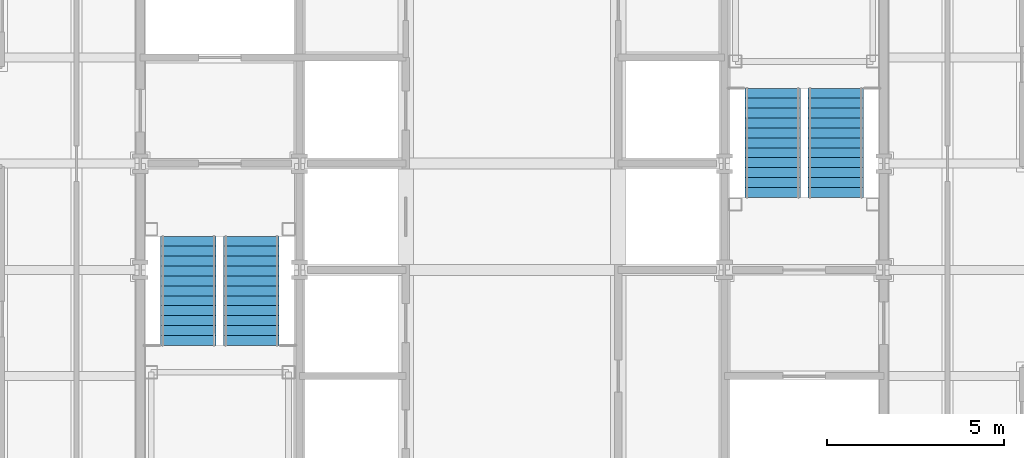
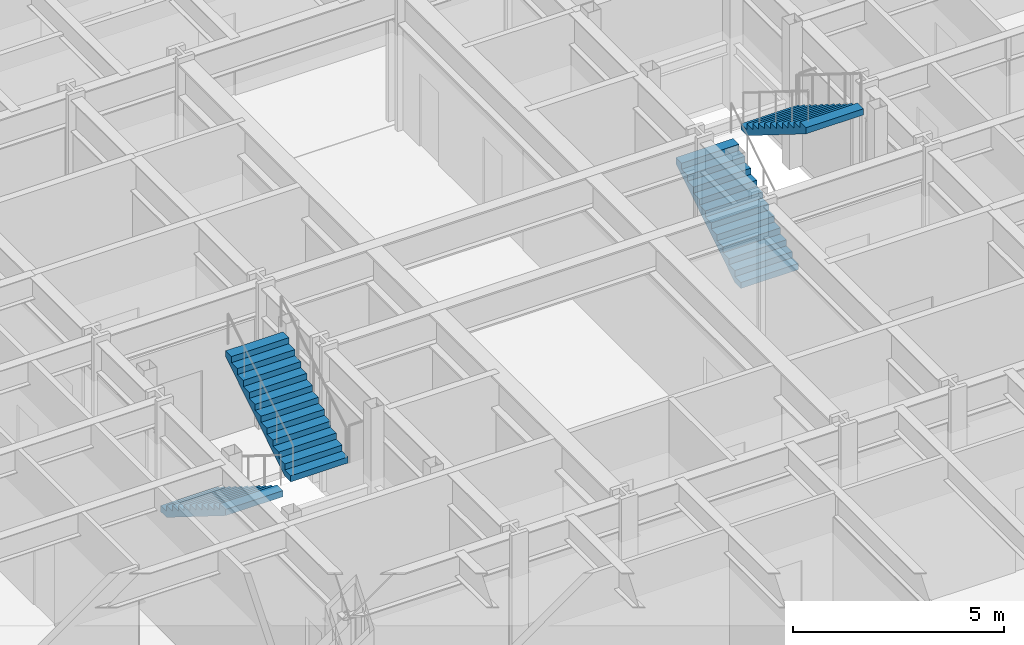
# One storey, part 13 of 15: 4 stair flights, 2 elements without a shape of their own.
"""IFC4 building model written with IfcOpenShell, lengths in metres."""

from ifc_helpers import new_model, si_unit, direction, frame, origin, place, context, subcontext, project, spatial, faceted_brep, material, type_object, element, aggregate, save


model = new_model("IFC4")

# Units and contexts
model_context = context("Model", 3, precision=1e-05, world=origin(), true_north=direction((0.0, 1.0)))
body_context = subcontext(model_context, "Body", "Model", "MODEL_VIEW")
ifc_project = project(units=[si_unit("LENGTHUNIT", "METRE"), si_unit("AREAUNIT", "SQUARE_METRE"), si_unit("VOLUMEUNIT", "CUBIC_METRE"), si_unit("PLANEANGLEUNIT", "RADIAN"), si_unit("MASSUNIT", "GRAM", prefix="KILO")], contexts=[model_context])

# Site, building, storey
site_placement = place(None, origin())
site = spatial("IfcSite", under=ifc_project, at=site_placement, CompositionType="ELEMENT")
building_placement = place(site_placement, origin())
building = spatial("IfcBuilding", under=site, at=building_placement, Name="Chuquiago Exchange Tower", CompositionType="ELEMENT")
storey_placement = place(building_placement, frame((0.0, 0.0, 266.39990234375)))
storey = spatial("IfcBuildingStorey", under=building, at=storey_placement, Name="L59", CompositionType="ELEMENT", Elevation=266.39990234375)

# Stair, stair flights
ifc_material_1 = material(Name="Concrete C30/37, precast", Category="concrete")
stair_type_1 = type_object("IfcStairType", Name="ST1 half-turn stair 4200", PredefinedType="HALF_TURN_STAIR", material=ifc_material_1)
stair_1_placement = place(storey_placement, origin())
stair_1 = element("IfcStair", 1, at=stair_1_placement, inside=storey, type_object=stair_type_1, Name="Stair ST1 L59", PredefinedType="HALF_TURN_STAIR")
ifc_material_2 = material(Name="Concrete C30/37, precast", Category="concrete")
stair_flight_type = type_object("IfcStairFlightType", Name="ST-F flight 1570 for 4200 storey", PredefinedType="STRAIGHT", material=ifc_material_2)
stair_flight_1_placement = place(storey_placement, frame((13.360107421875, 21.949951171875, 0.0), z_axis=(0.0, 0.0, 1.0), x_axis=(0.0, -1.0, 0.0)))
stair_flight_1 = element("IfcStairFlight", 2, at=stair_flight_1_placement, type_object=stair_flight_type, Name="ST1 flight 1", NumberOfRisers=12, NumberOfTreads=11, PredefinedType="STRAIGHT", RiserHeight=0.175, TreadLength=0.28, context=body_context, shape_type="Brep", body=[
    faceted_brep([(0.0, 0.78515625, 0.0), (0.0, 0.78515625, 0.175048828125), (0.280029296875, 0.78515625, 0.175048828125), (0.280029296875, 0.78515625, 0.35009765625), (0.56005859375, 0.78515625, 0.35009765625), (0.56005859375, 0.78515625, 0.52490234375), (0.840087890625, 0.78515625, 0.52490234375), (0.840087890625, 0.78515625, 0.699951171875), (1.1201171875, 0.78515625, 0.699951171875), (1.1201171875, 0.78515625, 0.875), (1.39990234375, 0.78515625, 0.875), (1.39990234375, 0.78515625, 1.050048828125), (1.679931640625, 0.78515625, 1.050048828125), (1.679931640625, 0.78515625, 1.22509765625), (1.9599609375, 0.78515625, 1.22509765625), (1.9599609375, 0.78515625, 1.39990234375), (2.239990234375, 0.78515625, 1.39990234375), (2.239990234375, 0.78515625, 1.574951171875), (2.52001953125, 0.78515625, 1.574951171875), (2.52001953125, 0.78515625, 1.75), (2.800048828125, 0.78515625, 1.75), (2.800048828125, 0.78515625, 1.925048828125), (3.080078125, 0.78515625, 1.925048828125), (3.080078125, 0.78515625, 1.748291015625), (0.28271484375, 0.78515625, 0.0), (0.28271484375, -0.78515625, 0.0), (3.080078125, -0.78515625, 1.748291015625), (3.080078125, -0.78515625, 1.925048828125), (2.800048828125, -0.78515625, 1.925048828125), (2.800048828125, -0.78515625, 1.75), (2.52001953125, -0.78515625, 1.75), (2.52001953125, -0.78515625, 1.574951171875), (2.239990234375, -0.78515625, 1.574951171875), (2.239990234375, -0.78515625, 1.39990234375), (1.9599609375, -0.78515625, 1.39990234375), (1.9599609375, -0.78515625, 1.22509765625), (1.679931640625, -0.78515625, 1.22509765625), (1.679931640625, -0.78515625, 1.050048828125), (1.39990234375, -0.78515625, 1.050048828125), (1.39990234375, -0.78515625, 0.875), (1.1201171875, -0.78515625, 0.875), (1.1201171875, -0.78515625, 0.699951171875), (0.840087890625, -0.78515625, 0.699951171875), (0.840087890625, -0.78515625, 0.52490234375), (0.56005859375, -0.78515625, 0.52490234375), (0.56005859375, -0.78515625, 0.35009765625), (0.280029296875, -0.78515625, 0.35009765625), (0.280029296875, -0.78515625, 0.175048828125), (0.0, -0.78515625, 0.175048828125), (0.0, -0.78515625, 0.0), (0.0, 0.392578125, 0.0), (0.0, 0.392578125, 0.175048828125), (0.0, 0.0, 0.0), (0.0, 0.0, 0.175048828125), (0.0, -0.392578125, 0.0), (0.0, -0.392578125, 0.175048828125), (0.280029296875, 0.392578125, 0.175048828125), (0.280029296875, 0.0, 0.175048828125), (0.280029296875, -0.392578125, 0.175048828125), (0.280029296875, 0.392578125, 0.35009765625), (0.280029296875, 0.0, 0.35009765625), (0.280029296875, -0.392578125, 0.35009765625), (0.56005859375, 0.392578125, 0.35009765625), (0.56005859375, 0.0, 0.35009765625), (0.56005859375, -0.392578125, 0.35009765625), (0.56005859375, 0.392578125, 0.52490234375), (0.56005859375, 0.0, 0.52490234375), (0.56005859375, -0.392578125, 0.52490234375), (0.840087890625, 0.392578125, 0.52490234375), (0.840087890625, 0.0, 0.52490234375), (0.840087890625, -0.392578125, 0.52490234375), (0.840087890625, 0.392578125, 0.699951171875), (0.840087890625, 0.0, 0.699951171875), (0.840087890625, -0.392578125, 0.699951171875), (1.1201171875, 0.392578125, 0.699951171875), (1.1201171875, 0.0, 0.699951171875), (1.1201171875, -0.392578125, 0.699951171875), (1.1201171875, 0.392578125, 0.875), (1.1201171875, 0.0, 0.875), (1.1201171875, -0.392578125, 0.875), (1.39990234375, 0.392578125, 0.875), (1.39990234375, 0.0, 0.875), (1.39990234375, -0.392578125, 0.875), (1.39990234375, 0.392578125, 1.050048828125), (1.39990234375, 0.0, 1.050048828125), (1.39990234375, -0.392578125, 1.050048828125), (1.679931640625, 0.392578125, 1.050048828125), (1.679931640625, 0.0, 1.050048828125), (1.679931640625, -0.392578125, 1.050048828125), (1.679931640625, 0.392578125, 1.22509765625), (1.679931640625, 0.0, 1.22509765625), (1.679931640625, -0.392578125, 1.22509765625), (1.9599609375, 0.392578125, 1.22509765625), (1.9599609375, 0.0, 1.22509765625), (1.9599609375, -0.392578125, 1.22509765625), (1.9599609375, 0.392578125, 1.39990234375), (1.9599609375, 0.0, 1.39990234375), (1.9599609375, -0.392578125, 1.39990234375), (2.239990234375, 0.392578125, 1.39990234375), (2.239990234375, 0.0, 1.39990234375), (2.239990234375, -0.392578125, 1.39990234375), (2.239990234375, 0.392578125, 1.574951171875), (2.239990234375, 0.0, 1.574951171875), (2.239990234375, -0.392578125, 1.574951171875), (2.52001953125, 0.392578125, 1.574951171875), (2.52001953125, 0.0, 1.574951171875), (2.52001953125, -0.392578125, 1.574951171875), (2.52001953125, 0.392578125, 1.75), (2.52001953125, 0.0, 1.75), (2.52001953125, -0.392578125, 1.75), (2.800048828125, 0.392578125, 1.75), (2.800048828125, 0.0, 1.75), (2.800048828125, -0.392578125, 1.75), (2.800048828125, 0.392578125, 1.925048828125), (2.800048828125, 0.0, 1.925048828125), (2.800048828125, -0.392578125, 1.925048828125), (3.080078125, 0.392578125, 1.925048828125), (3.080078125, 0.0, 1.925048828125), (3.080078125, -0.392578125, 1.925048828125), (3.080078125, 0.392578125, 1.748291015625), (3.080078125, 0.0, 1.748291015625), (3.080078125, -0.392578125, 1.748291015625), (0.28271484375, 0.392578125, 0.0), (0.28271484375, 0.0, 0.0), (0.28271484375, -0.392578125, 0.0)], [[[0, 1, 2, 3, 4, 5, 6, 7, 8, 9, 10, 11, 12, 13, 14, 15, 16, 17, 18, 19, 20, 21, 22, 23, 24]], [[25, 26, 27, 28, 29, 30, 31, 32, 33, 34, 35, 36, 37, 38, 39, 40, 41, 42, 43, 44, 45, 46, 47, 48, 49]], [[1, 0, 50, 51]], [[51, 50, 52, 53]], [[53, 52, 54, 55]], [[55, 54, 49, 48]], [[2, 1, 51, 56]], [[56, 51, 53, 57]], [[57, 53, 55, 58]], [[58, 55, 48, 47]], [[3, 2, 56, 59]], [[59, 56, 57, 60]], [[60, 57, 58, 61]], [[61, 58, 47, 46]], [[4, 3, 59, 62]], [[62, 59, 60, 63]], [[63, 60, 61, 64]], [[64, 61, 46, 45]], [[5, 4, 62, 65]], [[65, 62, 63, 66]], [[66, 63, 64, 67]], [[67, 64, 45, 44]], [[6, 5, 65, 68]], [[68, 65, 66, 69]], [[69, 66, 67, 70]], [[70, 67, 44, 43]], [[7, 6, 68, 71]], [[71, 68, 69, 72]], [[72, 69, 70, 73]], [[73, 70, 43, 42]], [[8, 7, 71, 74]], [[74, 71, 72, 75]], [[75, 72, 73, 76]], [[76, 73, 42, 41]], [[9, 8, 74, 77]], [[77, 74, 75, 78]], [[78, 75, 76, 79]], [[79, 76, 41, 40]], [[10, 9, 77, 80]], [[80, 77, 78, 81]], [[81, 78, 79, 82]], [[82, 79, 40, 39]], [[11, 10, 80, 83]], [[83, 80, 81, 84]], [[84, 81, 82, 85]], [[85, 82, 39, 38]], [[12, 11, 83, 86]], [[86, 83, 84, 87]], [[87, 84, 85, 88]], [[88, 85, 38, 37]], [[13, 12, 86, 89]], [[89, 86, 87, 90]], [[90, 87, 88, 91]], [[91, 88, 37, 36]], [[14, 13, 89, 92]], [[92, 89, 90, 93]], [[93, 90, 91, 94]], [[94, 91, 36, 35]], [[15, 14, 92, 95]], [[95, 92, 93, 96]], [[96, 93, 94, 97]], [[97, 94, 35, 34]], [[16, 15, 95, 98]], [[98, 95, 96, 99]], [[99, 96, 97, 100]], [[100, 97, 34, 33]], [[17, 16, 98, 101]], [[101, 98, 99, 102]], [[102, 99, 100, 103]], [[103, 100, 33, 32]], [[18, 17, 101, 104]], [[104, 101, 102, 105]], [[105, 102, 103, 106]], [[106, 103, 32, 31]], [[19, 18, 104, 107]], [[107, 104, 105, 108]], [[108, 105, 106, 109]], [[109, 106, 31, 30]], [[20, 19, 107, 110]], [[110, 107, 108, 111]], [[111, 108, 109, 112]], [[112, 109, 30, 29]], [[21, 20, 110, 113]], [[113, 110, 111, 114]], [[114, 111, 112, 115]], [[115, 112, 29, 28]], [[22, 21, 113, 116]], [[116, 113, 114, 117]], [[117, 114, 115, 118]], [[118, 115, 28, 27]], [[23, 22, 116, 119]], [[119, 116, 117, 120]], [[120, 117, 118, 121]], [[121, 118, 27, 26]], [[24, 23, 119, 122]], [[122, 119, 120, 123]], [[123, 120, 121, 124]], [[124, 121, 26, 25]], [[0, 24, 122, 50]], [[50, 122, 123, 52]], [[52, 123, 124, 54]], [[54, 124, 25, 49]]]),
])
stair_flight_2_placement = place(storey_placement, frame((15.139892578125, 18.8701171875, 2.10009765625), z_axis=(0.0, 0.0, 1.0), x_axis=(0.0, 1.0, 0.0)))
stair_flight_2 = element("IfcStairFlight", 3, at=stair_flight_2_placement, type_object=stair_flight_type, Name="ST1 flight 2", NumberOfRisers=12, NumberOfTreads=11, PredefinedType="STRAIGHT", RiserHeight=0.175, TreadLength=0.28, context=body_context, shape_type="Brep", body=[
    faceted_brep([(0.0, 0.78515625, 0.0), (0.0, 0.78515625, 0.175048828125), (0.280029296875, 0.78515625, 0.175048828125), (0.280029296875, 0.78515625, 0.35009765625), (0.56005859375, 0.78515625, 0.35009765625), (0.56005859375, 0.78515625, 0.52490234375), (0.840087890625, 0.78515625, 0.52490234375), (0.840087890625, 0.78515625, 0.699951171875), (1.1201171875, 0.78515625, 0.699951171875), (1.1201171875, 0.78515625, 0.875), (1.39990234375, 0.78515625, 0.875), (1.39990234375, 0.78515625, 1.050048828125), (1.679931640625, 0.78515625, 1.050048828125), (1.679931640625, 0.78515625, 1.22509765625), (1.9599609375, 0.78515625, 1.22509765625), (1.9599609375, 0.78515625, 1.39990234375), (2.239990234375, 0.78515625, 1.39990234375), (2.239990234375, 0.78515625, 1.574951171875), (2.52001953125, 0.78515625, 1.574951171875), (2.52001953125, 0.78515625, 1.75), (2.800048828125, 0.78515625, 1.75), (2.800048828125, 0.78515625, 1.925048828125), (3.080078125, 0.78515625, 1.925048828125), (3.080078125, 0.78515625, 1.748291015625), (0.28271484375, 0.78515625, 0.0), (0.28271484375, -0.78515625, 0.0), (3.080078125, -0.78515625, 1.748291015625), (3.080078125, -0.78515625, 1.925048828125), (2.800048828125, -0.78515625, 1.925048828125), (2.800048828125, -0.78515625, 1.75), (2.52001953125, -0.78515625, 1.75), (2.52001953125, -0.78515625, 1.574951171875), (2.239990234375, -0.78515625, 1.574951171875), (2.239990234375, -0.78515625, 1.39990234375), (1.9599609375, -0.78515625, 1.39990234375), (1.9599609375, -0.78515625, 1.22509765625), (1.679931640625, -0.78515625, 1.22509765625), (1.679931640625, -0.78515625, 1.050048828125), (1.39990234375, -0.78515625, 1.050048828125), (1.39990234375, -0.78515625, 0.875), (1.1201171875, -0.78515625, 0.875), (1.1201171875, -0.78515625, 0.699951171875), (0.840087890625, -0.78515625, 0.699951171875), (0.840087890625, -0.78515625, 0.52490234375), (0.56005859375, -0.78515625, 0.52490234375), (0.56005859375, -0.78515625, 0.35009765625), (0.280029296875, -0.78515625, 0.35009765625), (0.280029296875, -0.78515625, 0.175048828125), (0.0, -0.78515625, 0.175048828125), (0.0, -0.78515625, 0.0), (0.0, 0.392578125, 0.0), (0.0, 0.392578125, 0.175048828125), (0.0, 0.0, 0.0), (0.0, 0.0, 0.175048828125), (0.0, -0.392578125, 0.0), (0.0, -0.392578125, 0.175048828125), (0.280029296875, 0.392578125, 0.175048828125), (0.280029296875, 0.0, 0.175048828125), (0.280029296875, -0.392578125, 0.175048828125), (0.280029296875, 0.392578125, 0.35009765625), (0.280029296875, 0.0, 0.35009765625), (0.280029296875, -0.392578125, 0.35009765625), (0.56005859375, 0.392578125, 0.35009765625), (0.56005859375, 0.0, 0.35009765625), (0.56005859375, -0.392578125, 0.35009765625), (0.56005859375, 0.392578125, 0.52490234375), (0.56005859375, 0.0, 0.52490234375), (0.56005859375, -0.392578125, 0.52490234375), (0.840087890625, 0.392578125, 0.52490234375), (0.840087890625, 0.0, 0.52490234375), (0.840087890625, -0.392578125, 0.52490234375), (0.840087890625, 0.392578125, 0.699951171875), (0.840087890625, 0.0, 0.699951171875), (0.840087890625, -0.392578125, 0.699951171875), (1.1201171875, 0.392578125, 0.699951171875), (1.1201171875, 0.0, 0.699951171875), (1.1201171875, -0.392578125, 0.699951171875), (1.1201171875, 0.392578125, 0.875), (1.1201171875, 0.0, 0.875), (1.1201171875, -0.392578125, 0.875), (1.39990234375, 0.392578125, 0.875), (1.39990234375, 0.0, 0.875), (1.39990234375, -0.392578125, 0.875), (1.39990234375, 0.392578125, 1.050048828125), (1.39990234375, 0.0, 1.050048828125), (1.39990234375, -0.392578125, 1.050048828125), (1.679931640625, 0.392578125, 1.050048828125), (1.679931640625, 0.0, 1.050048828125), (1.679931640625, -0.392578125, 1.050048828125), (1.679931640625, 0.392578125, 1.22509765625), (1.679931640625, 0.0, 1.22509765625), (1.679931640625, -0.392578125, 1.22509765625), (1.9599609375, 0.392578125, 1.22509765625), (1.9599609375, 0.0, 1.22509765625), (1.9599609375, -0.392578125, 1.22509765625), (1.9599609375, 0.392578125, 1.39990234375), (1.9599609375, 0.0, 1.39990234375), (1.9599609375, -0.392578125, 1.39990234375), (2.239990234375, 0.392578125, 1.39990234375), (2.239990234375, 0.0, 1.39990234375), (2.239990234375, -0.392578125, 1.39990234375), (2.239990234375, 0.392578125, 1.574951171875), (2.239990234375, 0.0, 1.574951171875), (2.239990234375, -0.392578125, 1.574951171875), (2.52001953125, 0.392578125, 1.574951171875), (2.52001953125, 0.0, 1.574951171875), (2.52001953125, -0.392578125, 1.574951171875), (2.52001953125, 0.392578125, 1.75), (2.52001953125, 0.0, 1.75), (2.52001953125, -0.392578125, 1.75), (2.800048828125, 0.392578125, 1.75), (2.800048828125, 0.0, 1.75), (2.800048828125, -0.392578125, 1.75), (2.800048828125, 0.392578125, 1.925048828125), (2.800048828125, 0.0, 1.925048828125), (2.800048828125, -0.392578125, 1.925048828125), (3.080078125, 0.392578125, 1.925048828125), (3.080078125, 0.0, 1.925048828125), (3.080078125, -0.392578125, 1.925048828125), (3.080078125, 0.392578125, 1.748291015625), (3.080078125, 0.0, 1.748291015625), (3.080078125, -0.392578125, 1.748291015625), (0.28271484375, 0.392578125, 0.0), (0.28271484375, 0.0, 0.0), (0.28271484375, -0.392578125, 0.0)], [[[0, 1, 2, 3, 4, 5, 6, 7, 8, 9, 10, 11, 12, 13, 14, 15, 16, 17, 18, 19, 20, 21, 22, 23, 24]], [[25, 26, 27, 28, 29, 30, 31, 32, 33, 34, 35, 36, 37, 38, 39, 40, 41, 42, 43, 44, 45, 46, 47, 48, 49]], [[1, 0, 50, 51]], [[51, 50, 52, 53]], [[53, 52, 54, 55]], [[55, 54, 49, 48]], [[2, 1, 51, 56]], [[56, 51, 53, 57]], [[57, 53, 55, 58]], [[58, 55, 48, 47]], [[3, 2, 56, 59]], [[59, 56, 57, 60]], [[60, 57, 58, 61]], [[61, 58, 47, 46]], [[4, 3, 59, 62]], [[62, 59, 60, 63]], [[63, 60, 61, 64]], [[64, 61, 46, 45]], [[5, 4, 62, 65]], [[65, 62, 63, 66]], [[66, 63, 64, 67]], [[67, 64, 45, 44]], [[6, 5, 65, 68]], [[68, 65, 66, 69]], [[69, 66, 67, 70]], [[70, 67, 44, 43]], [[7, 6, 68, 71]], [[71, 68, 69, 72]], [[72, 69, 70, 73]], [[73, 70, 43, 42]], [[8, 7, 71, 74]], [[74, 71, 72, 75]], [[75, 72, 73, 76]], [[76, 73, 42, 41]], [[9, 8, 74, 77]], [[77, 74, 75, 78]], [[78, 75, 76, 79]], [[79, 76, 41, 40]], [[10, 9, 77, 80]], [[80, 77, 78, 81]], [[81, 78, 79, 82]], [[82, 79, 40, 39]], [[11, 10, 80, 83]], [[83, 80, 81, 84]], [[84, 81, 82, 85]], [[85, 82, 39, 38]], [[12, 11, 83, 86]], [[86, 83, 84, 87]], [[87, 84, 85, 88]], [[88, 85, 38, 37]], [[13, 12, 86, 89]], [[89, 86, 87, 90]], [[90, 87, 88, 91]], [[91, 88, 37, 36]], [[14, 13, 89, 92]], [[92, 89, 90, 93]], [[93, 90, 91, 94]], [[94, 91, 36, 35]], [[15, 14, 92, 95]], [[95, 92, 93, 96]], [[96, 93, 94, 97]], [[97, 94, 35, 34]], [[16, 15, 95, 98]], [[98, 95, 96, 99]], [[99, 96, 97, 100]], [[100, 97, 34, 33]], [[17, 16, 98, 101]], [[101, 98, 99, 102]], [[102, 99, 100, 103]], [[103, 100, 33, 32]], [[18, 17, 101, 104]], [[104, 101, 102, 105]], [[105, 102, 103, 106]], [[106, 103, 32, 31]], [[19, 18, 104, 107]], [[107, 104, 105, 108]], [[108, 105, 106, 109]], [[109, 106, 31, 30]], [[20, 19, 107, 110]], [[110, 107, 108, 111]], [[111, 108, 109, 112]], [[112, 109, 30, 29]], [[21, 20, 110, 113]], [[113, 110, 111, 114]], [[114, 111, 112, 115]], [[115, 112, 29, 28]], [[22, 21, 113, 116]], [[116, 113, 114, 117]], [[117, 114, 115, 118]], [[118, 115, 28, 27]], [[23, 22, 116, 119]], [[119, 116, 117, 120]], [[120, 117, 118, 121]], [[121, 118, 27, 26]], [[24, 23, 119, 122]], [[122, 119, 120, 123]], [[123, 120, 121, 124]], [[124, 121, 26, 25]], [[0, 24, 122, 50]], [[50, 122, 123, 52]], [[52, 123, 124, 54]], [[54, 124, 25, 49]]]),
])
aggregate(stair_1, [stair_flight_1, stair_flight_2])

ifc_material_3 = material(Name="Concrete C30/37, precast", Category="concrete")
stair_type_2 = type_object("IfcStairType", Name="ST2 half-turn stair 4200", PredefinedType="HALF_TURN_STAIR", material=ifc_material_3)
stair_2_placement = place(storey_placement, origin())
stair_2 = element("IfcStair", 4, at=stair_2_placement, inside=storey, type_object=stair_type_2, Name="Stair ST2 L59", PredefinedType="HALF_TURN_STAIR")
stair_flight_3_placement = place(storey_placement, frame((29.860107421875, 23.050048828125, 0.0), z_axis=(0.0, 0.0, 1.0), x_axis=(0.0, 1.0, 0.0)))
stair_flight_3 = element("IfcStairFlight", 5, at=stair_flight_3_placement, type_object=stair_flight_type, Name="ST2 flight 1", NumberOfRisers=12, NumberOfTreads=11, PredefinedType="STRAIGHT", RiserHeight=0.175, TreadLength=0.28, context=body_context, shape_type="Brep", body=[
    faceted_brep([(0.0, 0.78515625, 0.0), (0.0, 0.78515625, 0.175048828125), (0.280029296875, 0.78515625, 0.175048828125), (0.280029296875, 0.78515625, 0.35009765625), (0.56005859375, 0.78515625, 0.35009765625), (0.56005859375, 0.78515625, 0.52490234375), (0.840087890625, 0.78515625, 0.52490234375), (0.840087890625, 0.78515625, 0.699951171875), (1.1201171875, 0.78515625, 0.699951171875), (1.1201171875, 0.78515625, 0.875), (1.39990234375, 0.78515625, 0.875), (1.39990234375, 0.78515625, 1.050048828125), (1.679931640625, 0.78515625, 1.050048828125), (1.679931640625, 0.78515625, 1.22509765625), (1.9599609375, 0.78515625, 1.22509765625), (1.9599609375, 0.78515625, 1.39990234375), (2.239990234375, 0.78515625, 1.39990234375), (2.239990234375, 0.78515625, 1.574951171875), (2.52001953125, 0.78515625, 1.574951171875), (2.52001953125, 0.78515625, 1.75), (2.800048828125, 0.78515625, 1.75), (2.800048828125, 0.78515625, 1.925048828125), (3.080078125, 0.78515625, 1.925048828125), (3.080078125, 0.78515625, 1.748291015625), (0.28271484375, 0.78515625, 0.0), (0.28271484375, -0.78515625, 0.0), (3.080078125, -0.78515625, 1.748291015625), (3.080078125, -0.78515625, 1.925048828125), (2.800048828125, -0.78515625, 1.925048828125), (2.800048828125, -0.78515625, 1.75), (2.52001953125, -0.78515625, 1.75), (2.52001953125, -0.78515625, 1.574951171875), (2.239990234375, -0.78515625, 1.574951171875), (2.239990234375, -0.78515625, 1.39990234375), (1.9599609375, -0.78515625, 1.39990234375), (1.9599609375, -0.78515625, 1.22509765625), (1.679931640625, -0.78515625, 1.22509765625), (1.679931640625, -0.78515625, 1.050048828125), (1.39990234375, -0.78515625, 1.050048828125), (1.39990234375, -0.78515625, 0.875), (1.1201171875, -0.78515625, 0.875), (1.1201171875, -0.78515625, 0.699951171875), (0.840087890625, -0.78515625, 0.699951171875), (0.840087890625, -0.78515625, 0.52490234375), (0.56005859375, -0.78515625, 0.52490234375), (0.56005859375, -0.78515625, 0.35009765625), (0.280029296875, -0.78515625, 0.35009765625), (0.280029296875, -0.78515625, 0.175048828125), (0.0, -0.78515625, 0.175048828125), (0.0, -0.78515625, 0.0), (0.0, 0.392578125, 0.0), (0.0, 0.392578125, 0.175048828125), (0.0, 0.0, 0.0), (0.0, 0.0, 0.175048828125), (0.0, -0.392578125, 0.0), (0.0, -0.392578125, 0.175048828125), (0.280029296875, 0.392578125, 0.175048828125), (0.280029296875, 0.0, 0.175048828125), (0.280029296875, -0.392578125, 0.175048828125), (0.280029296875, 0.392578125, 0.35009765625), (0.280029296875, 0.0, 0.35009765625), (0.280029296875, -0.392578125, 0.35009765625), (0.56005859375, 0.392578125, 0.35009765625), (0.56005859375, 0.0, 0.35009765625), (0.56005859375, -0.392578125, 0.35009765625), (0.56005859375, 0.392578125, 0.52490234375), (0.56005859375, 0.0, 0.52490234375), (0.56005859375, -0.392578125, 0.52490234375), (0.840087890625, 0.392578125, 0.52490234375), (0.840087890625, 0.0, 0.52490234375), (0.840087890625, -0.392578125, 0.52490234375), (0.840087890625, 0.392578125, 0.699951171875), (0.840087890625, 0.0, 0.699951171875), (0.840087890625, -0.392578125, 0.699951171875), (1.1201171875, 0.392578125, 0.699951171875), (1.1201171875, 0.0, 0.699951171875), (1.1201171875, -0.392578125, 0.699951171875), (1.1201171875, 0.392578125, 0.875), (1.1201171875, 0.0, 0.875), (1.1201171875, -0.392578125, 0.875), (1.39990234375, 0.392578125, 0.875), (1.39990234375, 0.0, 0.875), (1.39990234375, -0.392578125, 0.875), (1.39990234375, 0.392578125, 1.050048828125), (1.39990234375, 0.0, 1.050048828125), (1.39990234375, -0.392578125, 1.050048828125), (1.679931640625, 0.392578125, 1.050048828125), (1.679931640625, 0.0, 1.050048828125), (1.679931640625, -0.392578125, 1.050048828125), (1.679931640625, 0.392578125, 1.22509765625), (1.679931640625, 0.0, 1.22509765625), (1.679931640625, -0.392578125, 1.22509765625), (1.9599609375, 0.392578125, 1.22509765625), (1.9599609375, 0.0, 1.22509765625), (1.9599609375, -0.392578125, 1.22509765625), (1.9599609375, 0.392578125, 1.39990234375), (1.9599609375, 0.0, 1.39990234375), (1.9599609375, -0.392578125, 1.39990234375), (2.239990234375, 0.392578125, 1.39990234375), (2.239990234375, 0.0, 1.39990234375), (2.239990234375, -0.392578125, 1.39990234375), (2.239990234375, 0.392578125, 1.574951171875), (2.239990234375, 0.0, 1.574951171875), (2.239990234375, -0.392578125, 1.574951171875), (2.52001953125, 0.392578125, 1.574951171875), (2.52001953125, 0.0, 1.574951171875), (2.52001953125, -0.392578125, 1.574951171875), (2.52001953125, 0.392578125, 1.75), (2.52001953125, 0.0, 1.75), (2.52001953125, -0.392578125, 1.75), (2.800048828125, 0.392578125, 1.75), (2.800048828125, 0.0, 1.75), (2.800048828125, -0.392578125, 1.75), (2.800048828125, 0.392578125, 1.925048828125), (2.800048828125, 0.0, 1.925048828125), (2.800048828125, -0.392578125, 1.925048828125), (3.080078125, 0.392578125, 1.925048828125), (3.080078125, 0.0, 1.925048828125), (3.080078125, -0.392578125, 1.925048828125), (3.080078125, 0.392578125, 1.748291015625), (3.080078125, 0.0, 1.748291015625), (3.080078125, -0.392578125, 1.748291015625), (0.28271484375, 0.392578125, 0.0), (0.28271484375, 0.0, 0.0), (0.28271484375, -0.392578125, 0.0)], [[[0, 1, 2, 3, 4, 5, 6, 7, 8, 9, 10, 11, 12, 13, 14, 15, 16, 17, 18, 19, 20, 21, 22, 23, 24]], [[25, 26, 27, 28, 29, 30, 31, 32, 33, 34, 35, 36, 37, 38, 39, 40, 41, 42, 43, 44, 45, 46, 47, 48, 49]], [[1, 0, 50, 51]], [[51, 50, 52, 53]], [[53, 52, 54, 55]], [[55, 54, 49, 48]], [[2, 1, 51, 56]], [[56, 51, 53, 57]], [[57, 53, 55, 58]], [[58, 55, 48, 47]], [[3, 2, 56, 59]], [[59, 56, 57, 60]], [[60, 57, 58, 61]], [[61, 58, 47, 46]], [[4, 3, 59, 62]], [[62, 59, 60, 63]], [[63, 60, 61, 64]], [[64, 61, 46, 45]], [[5, 4, 62, 65]], [[65, 62, 63, 66]], [[66, 63, 64, 67]], [[67, 64, 45, 44]], [[6, 5, 65, 68]], [[68, 65, 66, 69]], [[69, 66, 67, 70]], [[70, 67, 44, 43]], [[7, 6, 68, 71]], [[71, 68, 69, 72]], [[72, 69, 70, 73]], [[73, 70, 43, 42]], [[8, 7, 71, 74]], [[74, 71, 72, 75]], [[75, 72, 73, 76]], [[76, 73, 42, 41]], [[9, 8, 74, 77]], [[77, 74, 75, 78]], [[78, 75, 76, 79]], [[79, 76, 41, 40]], [[10, 9, 77, 80]], [[80, 77, 78, 81]], [[81, 78, 79, 82]], [[82, 79, 40, 39]], [[11, 10, 80, 83]], [[83, 80, 81, 84]], [[84, 81, 82, 85]], [[85, 82, 39, 38]], [[12, 11, 83, 86]], [[86, 83, 84, 87]], [[87, 84, 85, 88]], [[88, 85, 38, 37]], [[13, 12, 86, 89]], [[89, 86, 87, 90]], [[90, 87, 88, 91]], [[91, 88, 37, 36]], [[14, 13, 89, 92]], [[92, 89, 90, 93]], [[93, 90, 91, 94]], [[94, 91, 36, 35]], [[15, 14, 92, 95]], [[95, 92, 93, 96]], [[96, 93, 94, 97]], [[97, 94, 35, 34]], [[16, 15, 95, 98]], [[98, 95, 96, 99]], [[99, 96, 97, 100]], [[100, 97, 34, 33]], [[17, 16, 98, 101]], [[101, 98, 99, 102]], [[102, 99, 100, 103]], [[103, 100, 33, 32]], [[18, 17, 101, 104]], [[104, 101, 102, 105]], [[105, 102, 103, 106]], [[106, 103, 32, 31]], [[19, 18, 104, 107]], [[107, 104, 105, 108]], [[108, 105, 106, 109]], [[109, 106, 31, 30]], [[20, 19, 107, 110]], [[110, 107, 108, 111]], [[111, 108, 109, 112]], [[112, 109, 30, 29]], [[21, 20, 110, 113]], [[113, 110, 111, 114]], [[114, 111, 112, 115]], [[115, 112, 29, 28]], [[22, 21, 113, 116]], [[116, 113, 114, 117]], [[117, 114, 115, 118]], [[118, 115, 28, 27]], [[23, 22, 116, 119]], [[119, 116, 117, 120]], [[120, 117, 118, 121]], [[121, 118, 27, 26]], [[24, 23, 119, 122]], [[122, 119, 120, 123]], [[123, 120, 121, 124]], [[124, 121, 26, 25]], [[0, 24, 122, 50]], [[50, 122, 123, 52]], [[52, 123, 124, 54]], [[54, 124, 25, 49]]]),
])
stair_flight_4_placement = place(storey_placement, frame((31.639892578125, 26.1298828125, 2.10009765625), z_axis=(0.0, 0.0, 1.0), x_axis=(0.0, -1.0, 0.0)))
stair_flight_4 = element("IfcStairFlight", 6, at=stair_flight_4_placement, type_object=stair_flight_type, Name="ST2 flight 2", NumberOfRisers=12, NumberOfTreads=11, PredefinedType="STRAIGHT", RiserHeight=0.175, TreadLength=0.28, context=body_context, shape_type="Brep", body=[
    faceted_brep([(0.0, 0.78515625, 0.0), (0.0, 0.78515625, 0.175048828125), (0.280029296875, 0.78515625, 0.175048828125), (0.280029296875, 0.78515625, 0.35009765625), (0.56005859375, 0.78515625, 0.35009765625), (0.56005859375, 0.78515625, 0.52490234375), (0.840087890625, 0.78515625, 0.52490234375), (0.840087890625, 0.78515625, 0.699951171875), (1.1201171875, 0.78515625, 0.699951171875), (1.1201171875, 0.78515625, 0.875), (1.39990234375, 0.78515625, 0.875), (1.39990234375, 0.78515625, 1.050048828125), (1.679931640625, 0.78515625, 1.050048828125), (1.679931640625, 0.78515625, 1.22509765625), (1.9599609375, 0.78515625, 1.22509765625), (1.9599609375, 0.78515625, 1.39990234375), (2.239990234375, 0.78515625, 1.39990234375), (2.239990234375, 0.78515625, 1.574951171875), (2.52001953125, 0.78515625, 1.574951171875), (2.52001953125, 0.78515625, 1.75), (2.800048828125, 0.78515625, 1.75), (2.800048828125, 0.78515625, 1.925048828125), (3.080078125, 0.78515625, 1.925048828125), (3.080078125, 0.78515625, 1.748291015625), (0.28271484375, 0.78515625, 0.0), (0.28271484375, -0.78515625, 0.0), (3.080078125, -0.78515625, 1.748291015625), (3.080078125, -0.78515625, 1.925048828125), (2.800048828125, -0.78515625, 1.925048828125), (2.800048828125, -0.78515625, 1.75), (2.52001953125, -0.78515625, 1.75), (2.52001953125, -0.78515625, 1.574951171875), (2.239990234375, -0.78515625, 1.574951171875), (2.239990234375, -0.78515625, 1.39990234375), (1.9599609375, -0.78515625, 1.39990234375), (1.9599609375, -0.78515625, 1.22509765625), (1.679931640625, -0.78515625, 1.22509765625), (1.679931640625, -0.78515625, 1.050048828125), (1.39990234375, -0.78515625, 1.050048828125), (1.39990234375, -0.78515625, 0.875), (1.1201171875, -0.78515625, 0.875), (1.1201171875, -0.78515625, 0.699951171875), (0.840087890625, -0.78515625, 0.699951171875), (0.840087890625, -0.78515625, 0.52490234375), (0.56005859375, -0.78515625, 0.52490234375), (0.56005859375, -0.78515625, 0.35009765625), (0.280029296875, -0.78515625, 0.35009765625), (0.280029296875, -0.78515625, 0.175048828125), (0.0, -0.78515625, 0.175048828125), (0.0, -0.78515625, 0.0), (0.0, 0.392578125, 0.0), (0.0, 0.392578125, 0.175048828125), (0.0, 0.0, 0.0), (0.0, 0.0, 0.175048828125), (0.0, -0.392578125, 0.0), (0.0, -0.392578125, 0.175048828125), (0.280029296875, 0.392578125, 0.175048828125), (0.280029296875, 0.0, 0.175048828125), (0.280029296875, -0.392578125, 0.175048828125), (0.280029296875, 0.392578125, 0.35009765625), (0.280029296875, 0.0, 0.35009765625), (0.280029296875, -0.392578125, 0.35009765625), (0.56005859375, 0.392578125, 0.35009765625), (0.56005859375, 0.0, 0.35009765625), (0.56005859375, -0.392578125, 0.35009765625), (0.56005859375, 0.392578125, 0.52490234375), (0.56005859375, 0.0, 0.52490234375), (0.56005859375, -0.392578125, 0.52490234375), (0.840087890625, 0.392578125, 0.52490234375), (0.840087890625, 0.0, 0.52490234375), (0.840087890625, -0.392578125, 0.52490234375), (0.840087890625, 0.392578125, 0.699951171875), (0.840087890625, 0.0, 0.699951171875), (0.840087890625, -0.392578125, 0.699951171875), (1.1201171875, 0.392578125, 0.699951171875), (1.1201171875, 0.0, 0.699951171875), (1.1201171875, -0.392578125, 0.699951171875), (1.1201171875, 0.392578125, 0.875), (1.1201171875, 0.0, 0.875), (1.1201171875, -0.392578125, 0.875), (1.39990234375, 0.392578125, 0.875), (1.39990234375, 0.0, 0.875), (1.39990234375, -0.392578125, 0.875), (1.39990234375, 0.392578125, 1.050048828125), (1.39990234375, 0.0, 1.050048828125), (1.39990234375, -0.392578125, 1.050048828125), (1.679931640625, 0.392578125, 1.050048828125), (1.679931640625, 0.0, 1.050048828125), (1.679931640625, -0.392578125, 1.050048828125), (1.679931640625, 0.392578125, 1.22509765625), (1.679931640625, 0.0, 1.22509765625), (1.679931640625, -0.392578125, 1.22509765625), (1.9599609375, 0.392578125, 1.22509765625), (1.9599609375, 0.0, 1.22509765625), (1.9599609375, -0.392578125, 1.22509765625), (1.9599609375, 0.392578125, 1.39990234375), (1.9599609375, 0.0, 1.39990234375), (1.9599609375, -0.392578125, 1.39990234375), (2.239990234375, 0.392578125, 1.39990234375), (2.239990234375, 0.0, 1.39990234375), (2.239990234375, -0.392578125, 1.39990234375), (2.239990234375, 0.392578125, 1.574951171875), (2.239990234375, 0.0, 1.574951171875), (2.239990234375, -0.392578125, 1.574951171875), (2.52001953125, 0.392578125, 1.574951171875), (2.52001953125, 0.0, 1.574951171875), (2.52001953125, -0.392578125, 1.574951171875), (2.52001953125, 0.392578125, 1.75), (2.52001953125, 0.0, 1.75), (2.52001953125, -0.392578125, 1.75), (2.800048828125, 0.392578125, 1.75), (2.800048828125, 0.0, 1.75), (2.800048828125, -0.392578125, 1.75), (2.800048828125, 0.392578125, 1.925048828125), (2.800048828125, 0.0, 1.925048828125), (2.800048828125, -0.392578125, 1.925048828125), (3.080078125, 0.392578125, 1.925048828125), (3.080078125, 0.0, 1.925048828125), (3.080078125, -0.392578125, 1.925048828125), (3.080078125, 0.392578125, 1.748291015625), (3.080078125, 0.0, 1.748291015625), (3.080078125, -0.392578125, 1.748291015625), (0.28271484375, 0.392578125, 0.0), (0.28271484375, 0.0, 0.0), (0.28271484375, -0.392578125, 0.0)], [[[0, 1, 2, 3, 4, 5, 6, 7, 8, 9, 10, 11, 12, 13, 14, 15, 16, 17, 18, 19, 20, 21, 22, 23, 24]], [[25, 26, 27, 28, 29, 30, 31, 32, 33, 34, 35, 36, 37, 38, 39, 40, 41, 42, 43, 44, 45, 46, 47, 48, 49]], [[1, 0, 50, 51]], [[51, 50, 52, 53]], [[53, 52, 54, 55]], [[55, 54, 49, 48]], [[2, 1, 51, 56]], [[56, 51, 53, 57]], [[57, 53, 55, 58]], [[58, 55, 48, 47]], [[3, 2, 56, 59]], [[59, 56, 57, 60]], [[60, 57, 58, 61]], [[61, 58, 47, 46]], [[4, 3, 59, 62]], [[62, 59, 60, 63]], [[63, 60, 61, 64]], [[64, 61, 46, 45]], [[5, 4, 62, 65]], [[65, 62, 63, 66]], [[66, 63, 64, 67]], [[67, 64, 45, 44]], [[6, 5, 65, 68]], [[68, 65, 66, 69]], [[69, 66, 67, 70]], [[70, 67, 44, 43]], [[7, 6, 68, 71]], [[71, 68, 69, 72]], [[72, 69, 70, 73]], [[73, 70, 43, 42]], [[8, 7, 71, 74]], [[74, 71, 72, 75]], [[75, 72, 73, 76]], [[76, 73, 42, 41]], [[9, 8, 74, 77]], [[77, 74, 75, 78]], [[78, 75, 76, 79]], [[79, 76, 41, 40]], [[10, 9, 77, 80]], [[80, 77, 78, 81]], [[81, 78, 79, 82]], [[82, 79, 40, 39]], [[11, 10, 80, 83]], [[83, 80, 81, 84]], [[84, 81, 82, 85]], [[85, 82, 39, 38]], [[12, 11, 83, 86]], [[86, 83, 84, 87]], [[87, 84, 85, 88]], [[88, 85, 38, 37]], [[13, 12, 86, 89]], [[89, 86, 87, 90]], [[90, 87, 88, 91]], [[91, 88, 37, 36]], [[14, 13, 89, 92]], [[92, 89, 90, 93]], [[93, 90, 91, 94]], [[94, 91, 36, 35]], [[15, 14, 92, 95]], [[95, 92, 93, 96]], [[96, 93, 94, 97]], [[97, 94, 35, 34]], [[16, 15, 95, 98]], [[98, 95, 96, 99]], [[99, 96, 97, 100]], [[100, 97, 34, 33]], [[17, 16, 98, 101]], [[101, 98, 99, 102]], [[102, 99, 100, 103]], [[103, 100, 33, 32]], [[18, 17, 101, 104]], [[104, 101, 102, 105]], [[105, 102, 103, 106]], [[106, 103, 32, 31]], [[19, 18, 104, 107]], [[107, 104, 105, 108]], [[108, 105, 106, 109]], [[109, 106, 31, 30]], [[20, 19, 107, 110]], [[110, 107, 108, 111]], [[111, 108, 109, 112]], [[112, 109, 30, 29]], [[21, 20, 110, 113]], [[113, 110, 111, 114]], [[114, 111, 112, 115]], [[115, 112, 29, 28]], [[22, 21, 113, 116]], [[116, 113, 114, 117]], [[117, 114, 115, 118]], [[118, 115, 28, 27]], [[23, 22, 116, 119]], [[119, 116, 117, 120]], [[120, 117, 118, 121]], [[121, 118, 27, 26]], [[24, 23, 119, 122]], [[122, 119, 120, 123]], [[123, 120, 121, 124]], [[124, 121, 26, 25]], [[0, 24, 122, 50]], [[50, 122, 123, 52]], [[52, 123, 124, 54]], [[54, 124, 25, 49]]]),
])
aggregate(stair_2, [stair_flight_3, stair_flight_4])

save(model, "model.ifc")
